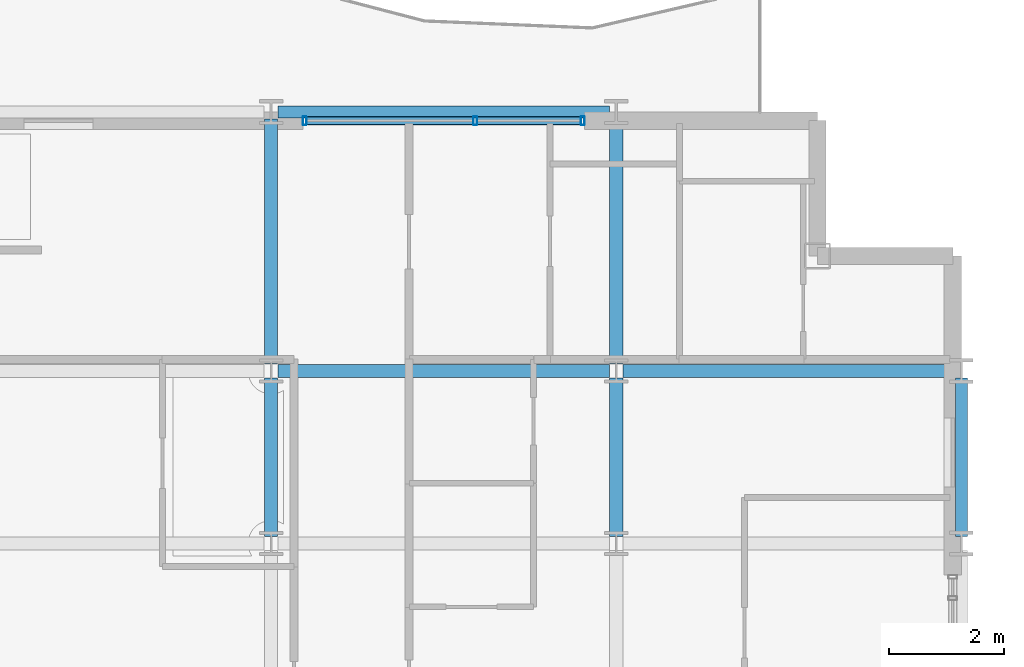
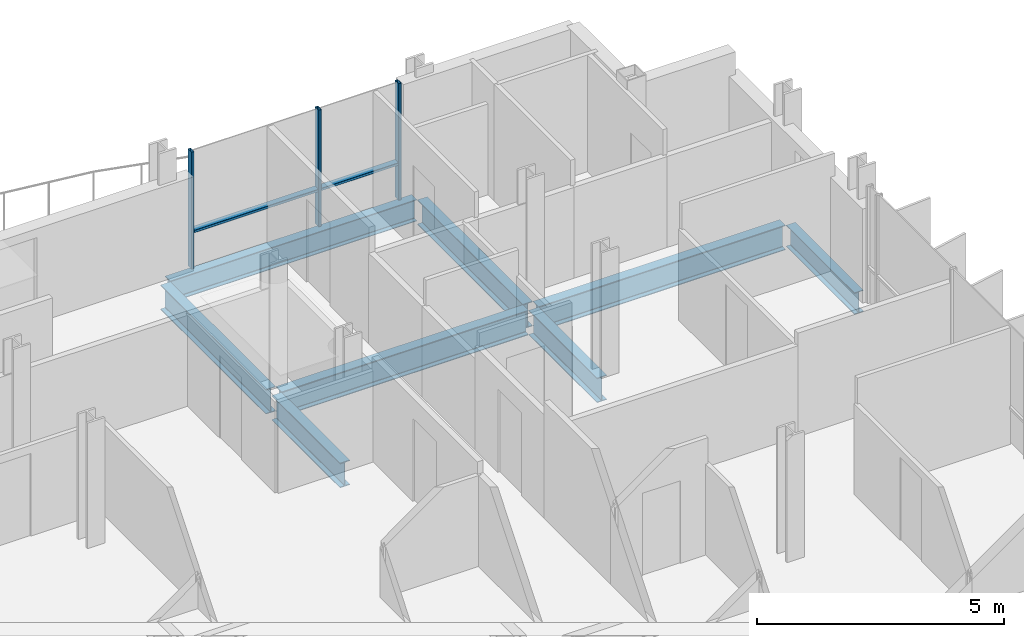
# One storey, part 20 of 39: 8 beams, 5 members, 1 element without a shape of its own.
"""IFC4 building model written with IfcOpenShell, lengths in metres."""

from ifc_helpers import new_model, si_unit, direction, frame, origin, origin_2d, place, context, subcontext, project, spatial, hollow_rectangle, i_section, extrude, material, layer, layer_set, material_profile, profile_set, type_object, element, aggregate, save


model = new_model("IFC4")

# Units and contexts
model_context = context("Model", 3, precision=1e-05, world=origin(), true_north=direction((0.0, 1.0)))
body_context = subcontext(model_context, "Body", "Model", "MODEL_VIEW")
ifc_project = project(units=[si_unit("LENGTHUNIT", "METRE"), si_unit("AREAUNIT", "SQUARE_METRE"), si_unit("VOLUMEUNIT", "CUBIC_METRE"), si_unit("PLANEANGLEUNIT", "RADIAN"), si_unit("MASSUNIT", "GRAM", prefix="KILO")], contexts=[model_context])

# Site, building, storey
site_placement = place(None, origin())
site = spatial("IfcSite", under=ifc_project, at=site_placement, CompositionType="ELEMENT")
building_placement = place(site_placement, origin())
building = spatial("IfcBuilding", under=site, at=building_placement, Name="Brevholm Reach", CompositionType="ELEMENT")
storey_placement = place(building_placement, frame((0.0, 0.0, 115.89990234375)))
storey = spatial("IfcBuildingStorey", under=building, at=storey_placement, Name="L34", CompositionType="ELEMENT", Elevation=115.89990234375)

# Beams
ifc_material_1 = material(Name="Structural Steel S355J2", Category="steel")
ifc_material_profile_1 = material_profile(ifc_material_1, i_section(OverallWidth=0.209228515625, OverallDepth=0.533203125, WebThickness=0.010009765625, FlangeThickness=0.015625, FilletRadius=0.0126953125, at=origin_2d()), Name="UKB 533x210x92")
ifc_profile_set_1 = profile_set([ifc_material_profile_1], Name="Structural Steel S355J2")
beam_type_1 = type_object("IfcBeamType", Name="BM-SP533", PredefinedType="SPANDREL", material=ifc_profile_set_1)
beam_1_placement = place(storey_placement, frame((48.1201171875, 31.0, -0.486572265625), z_axis=(1.0, 0.0, 0.0), x_axis=(0.0, 1.0, 0.0)))
element("IfcBeam", 1, at=beam_1_placement, inside=storey, type_object=beam_type_1, Name="L34 SP-02 Framing Beam", PredefinedType="SPANDREL", context=body_context, shape_type="SweptSolid", body=[
    extrude(i_section(OverallWidth=0.209228515625, OverallDepth=0.533203125, WebThickness=0.010009765625, FlangeThickness=0.015625, FilletRadius=0.0126953125, at=origin_2d()), origin(), (0.0, 0.0, 1.0), 5.759765625),
])
beam_2_placement = place(storey_placement, frame((60.0, 23.6201171875, -0.486572265625), z_axis=(0.0, 1.0, 0.0), x_axis=(-1.0, 0.0, 0.0)))
element("IfcBeam", 2, at=beam_2_placement, inside=storey, type_object=beam_type_1, Name="L34 SP-02 Framing Beam", PredefinedType="SPANDREL", context=body_context, shape_type="SweptSolid", body=[
    extrude(i_section(OverallWidth=0.209228515625, OverallDepth=0.533203125, WebThickness=0.010009765625, FlangeThickness=0.015625, FilletRadius=0.0126953125, at=origin_2d()), origin(), (0.0, 0.0, 1.0), 2.759765625),
])
ifc_material_2 = material(Name="Structural Steel S355J2", Category="steel")
ifc_material_profile_2 = material_profile(ifc_material_2, i_section(OverallWidth=0.22900390625, OverallDepth=0.6123046875, WebThickness=0.011962890625, FlangeThickness=0.01953125, FilletRadius=0.0126953125, at=origin_2d()), Name="UKB 610x229x125")
ifc_profile_set_2 = profile_set([ifc_material_profile_2], Name="Structural Steel S355J2")
beam_type_2 = type_object("IfcBeamType", Name="BM-SP610", PredefinedType="SPANDREL", material=ifc_profile_set_2)
for number, where, z_axis, x_axis, name in (
    (3, (48.1201171875, 26.5, -0.526123046875), (1.0, 0.0, 0.0), (0.0, 1.0, 0.0), "L34 SP-01 Framing Beam"),
    (4, (54.1201171875, 26.5, -0.526123046875), (1.0, 0.0, 0.0), (0.0, 1.0, 0.0), "L34 SP-01 Framing Beam"),
):
    element("IfcBeam", number, at=place(storey_placement, frame(where, z_axis=z_axis, x_axis=x_axis)), inside=storey, type_object=beam_type_2, Name=name, PredefinedType="SPANDREL", context=body_context, shape_type="SweptSolid", body=[
        extrude(i_section(OverallWidth=0.22900390625, OverallDepth=0.6123046875, WebThickness=0.011962890625, FlangeThickness=0.01953125, FilletRadius=0.0126953125, at=origin_2d()), origin(), (0.0, 0.0, 1.0), 5.759765625),
    ])
beam_3_placement = place(storey_placement, frame((48.0, 23.6201171875, -0.526123046875), z_axis=(0.0, 1.0, 0.0), x_axis=(-1.0, 0.0, 0.0)))
element("IfcBeam", 5, at=beam_3_placement, inside=storey, type_object=beam_type_2, Name="L34 SP-01 Framing Beam", PredefinedType="SPANDREL", context=body_context, shape_type="SweptSolid", body=[
    extrude(i_section(OverallWidth=0.22900390625, OverallDepth=0.6123046875, WebThickness=0.011962890625, FlangeThickness=0.01953125, FilletRadius=0.0126953125, at=origin_2d()), origin(), (0.0, 0.0, 1.0), 2.759765625),
])
beam_4_placement = place(storey_placement, frame((48.0, 26.6201171875, -0.526123046875), z_axis=(0.0, 1.0, 0.0), x_axis=(-1.0, 0.0, 0.0)))
element("IfcBeam", 6, at=beam_4_placement, inside=storey, type_object=beam_type_2, Name="L34 SP-01 Framing Beam", PredefinedType="SPANDREL", context=body_context, shape_type="SweptSolid", body=[
    extrude(i_section(OverallWidth=0.22900390625, OverallDepth=0.6123046875, WebThickness=0.011962890625, FlangeThickness=0.01953125, FilletRadius=0.0126953125, at=origin_2d()), origin(), (0.0, 0.0, 1.0), 4.259765625),
])
beam_5_placement = place(storey_placement, frame((54.0, 23.6201171875, -0.526123046875), z_axis=(0.0, 1.0, 0.0), x_axis=(-1.0, 0.0, 0.0)))
element("IfcBeam", 7, at=beam_5_placement, inside=storey, type_object=beam_type_2, Name="L34 SP-01 Framing Beam", PredefinedType="SPANDREL", context=body_context, shape_type="SweptSolid", body=[
    extrude(i_section(OverallWidth=0.22900390625, OverallDepth=0.6123046875, WebThickness=0.011962890625, FlangeThickness=0.01953125, FilletRadius=0.0126953125, at=origin_2d()), origin(), (0.0, 0.0, 1.0), 2.759765625),
])
beam_6_placement = place(storey_placement, frame((54.0, 26.6201171875, -0.526123046875), z_axis=(0.0, 1.0, 0.0), x_axis=(-1.0, 0.0, 0.0)))
element("IfcBeam", 8, at=beam_6_placement, inside=storey, type_object=beam_type_2, Name="L34 SP-01 Framing Beam", PredefinedType="SPANDREL", context=body_context, shape_type="SweptSolid", body=[
    extrude(i_section(OverallWidth=0.22900390625, OverallDepth=0.6123046875, WebThickness=0.011962890625, FlangeThickness=0.01953125, FilletRadius=0.0126953125, at=origin_2d()), origin(), (0.0, 0.0, 1.0), 4.259765625),
])

# Curtain wall, members
ifc_material_3 = material(Name="Dark Anodised Aluminium 6063-T6 and Solar-Control Glass", Category="aluminium")
ifc_layer = layer(ifc_material_3, 0.14990234375)
ifc_layer_set = layer_set([ifc_layer], Name="Dark Anodised Aluminium 6063-T6 and Solar-Control Glass")
curtain_wall_type = type_object("IfcCurtainWallType", Name="CW-01", PredefinedType="NOTDEFINED", material=ifc_layer_set)
curtain_wall_placement = place(storey_placement, origin())
curtain_wall = element("IfcCurtainWall", 9, at=curtain_wall_placement, inside=storey, type_object=curtain_wall_type, Name="L34 Curtain Wall CW-01", PredefinedType="NOTDEFINED")
ifc_material_4 = material(Name="Dark Anodised Aluminium 6063-T6", Category="aluminium")
ifc_material_profile_3 = material_profile(ifc_material_4, hollow_rectangle(XDim=0.06494140625, YDim=0.14990234375, WallThickness=0.0048828125, InnerFilletRadius=0.0048828125, OuterFilletRadius=0.010009765625, at=origin_2d()), Name="RHS 150x65x5")
ifc_profile_set_3 = profile_set([ifc_material_profile_3], Name="Dark Anodised Aluminium 6063-T6")
member_type_1 = type_object("IfcMemberType", Name="CWM-150", PredefinedType="MULLION", material=ifc_profile_set_3)
member_1_placement = place(storey_placement, frame((48.58251953125, 30.85009765625, 0.0), z_axis=(0.0, 0.0, 1.0), x_axis=(1.0, 0.0, 0.0)))
member_1 = element("IfcMember", 10, at=member_1_placement, type_object=member_type_1, Name="CM-150 Mullion 1", PredefinedType="MULLION", context=body_context, shape_type="SweptSolid", body=[
    extrude(hollow_rectangle(XDim=0.06494140625, YDim=0.14990234375, WallThickness=0.0048828125, InnerFilletRadius=0.0048828125, OuterFilletRadius=0.010009765625, at=origin_2d()), origin(), (0.0, 0.0, 1.0), 2.880126953125),
])
member_2_placement = place(storey_placement, frame((51.550048828125, 30.85009765625, 0.0), z_axis=(0.0, 0.0, 1.0), x_axis=(1.0, 0.0, 0.0)))
member_2 = element("IfcMember", 11, at=member_2_placement, type_object=member_type_1, Name="CM-150 Mullion 2", PredefinedType="MULLION", context=body_context, shape_type="SweptSolid", body=[
    extrude(hollow_rectangle(XDim=0.06494140625, YDim=0.14990234375, WallThickness=0.0048828125, InnerFilletRadius=0.0048828125, OuterFilletRadius=0.010009765625, at=origin_2d()), origin(), (0.0, 0.0, 1.0), 2.880126953125),
])
member_3_placement = place(storey_placement, frame((53.41748046875, 30.85009765625, 0.0), z_axis=(0.0, 0.0, 1.0), x_axis=(1.0, 0.0, 0.0)))
member_3 = element("IfcMember", 12, at=member_3_placement, type_object=member_type_1, Name="CM-150 Mullion 3", PredefinedType="MULLION", context=body_context, shape_type="SweptSolid", body=[
    extrude(hollow_rectangle(XDim=0.06494140625, YDim=0.14990234375, WallThickness=0.0048828125, InnerFilletRadius=0.0048828125, OuterFilletRadius=0.010009765625, at=origin_2d()), origin(), (0.0, 0.0, 1.0), 2.880126953125),
])
ifc_material_5 = material(Name="Dark Anodised Aluminium 6063-T6", Category="aluminium")
ifc_material_profile_4 = material_profile(ifc_material_5, hollow_rectangle(XDim=0.06494140625, YDim=0.14990234375, WallThickness=0.0048828125, InnerFilletRadius=0.0048828125, OuterFilletRadius=0.010009765625, at=origin_2d()), Name="RHS 150x65x5")
ifc_profile_set_4 = profile_set([ifc_material_profile_4], Name="Dark Anodised Aluminium 6063-T6")
member_type_2 = type_object("IfcMemberType", Name="CWT-150", PredefinedType="NOTDEFINED", material=ifc_profile_set_4)
member_4_placement = place(storey_placement, frame((48.614990234375, 30.85009765625, 0.900146484375), z_axis=(1.0, 0.0, 0.0), x_axis=(0.0, 0.0, 1.0)))
member_4 = element("IfcMember", 13, at=member_4_placement, type_object=member_type_2, Name="CT-150 Transom 1.1", ObjectType="TRANSOM", PredefinedType="USERDEFINED", context=body_context, shape_type="SweptSolid", body=[
    extrude(hollow_rectangle(XDim=0.06494140625, YDim=0.14990234375, WallThickness=0.0048828125, InnerFilletRadius=0.0048828125, OuterFilletRadius=0.010009765625, at=origin_2d()), origin(), (0.0, 0.0, 1.0), 2.902587890625),
])
member_5_placement = place(storey_placement, frame((51.58251953125, 30.85009765625, 0.900146484375), z_axis=(1.0, 0.0, 0.0), x_axis=(0.0, 0.0, 1.0)))
member_5 = element("IfcMember", 14, at=member_5_placement, type_object=member_type_2, Name="CT-150 Transom 2.1", ObjectType="TRANSOM", PredefinedType="USERDEFINED", context=body_context, shape_type="SweptSolid", body=[
    extrude(hollow_rectangle(XDim=0.06494140625, YDim=0.14990234375, WallThickness=0.0048828125, InnerFilletRadius=0.0048828125, OuterFilletRadius=0.010009765625, at=origin_2d()), origin(), (0.0, 0.0, 1.0), 1.802490234375),
])
aggregate(curtain_wall, [member_1, member_2, member_3, member_4, member_5])

save(model, "model.ifc")
